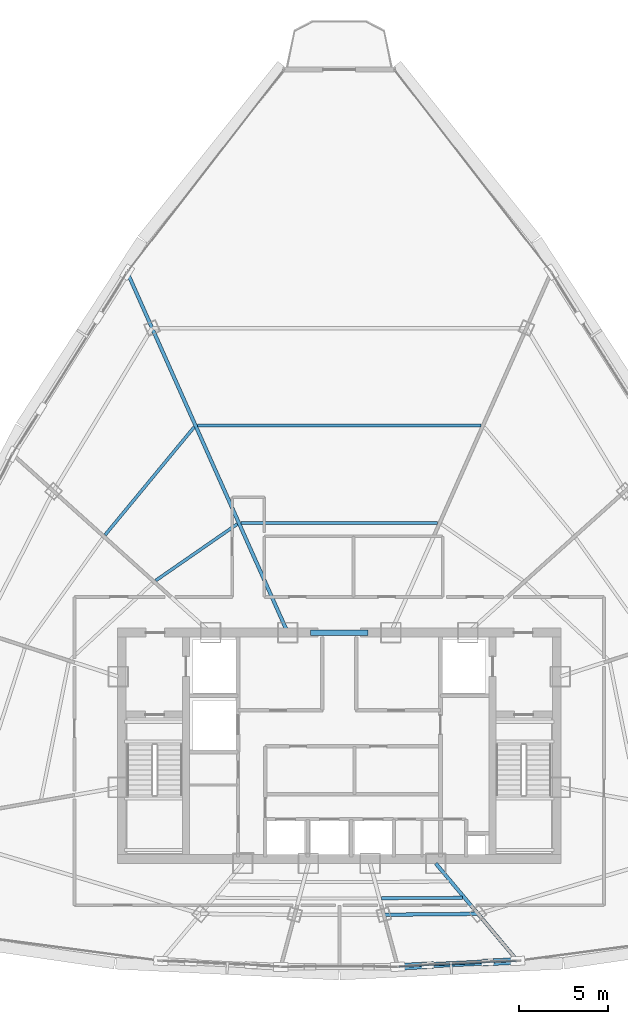
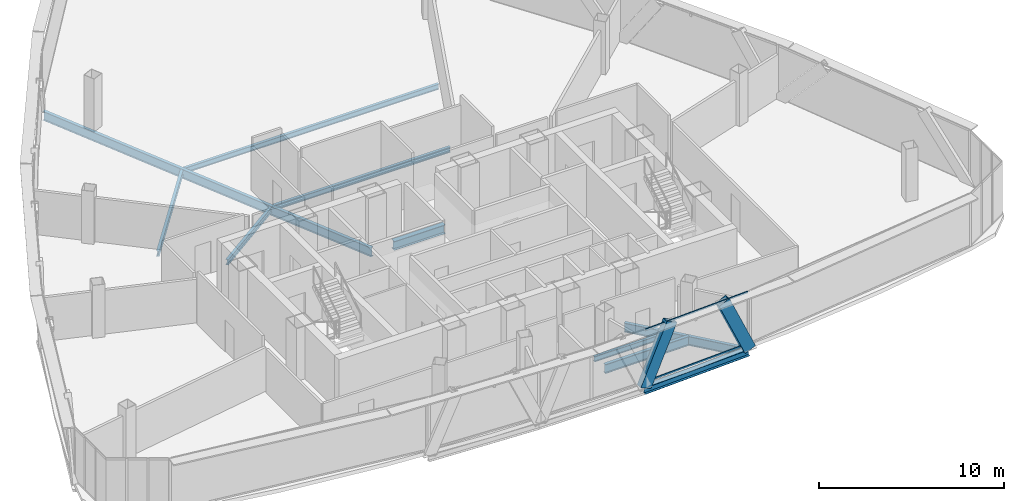
# One storey, part 10 of 28: 10 beams, 4 members, 1 element without a shape of its own.
"""IFC4 building model written with IfcOpenShell, lengths in metres."""

import ifcopenshell
import ifcopenshell.guid

model = None  # the IFC model being written
_history = None  # IfcOwnerHistory: only IFC2X3 demands one
_inside = {}  # id of a spatial element -> (the spatial element, [elements in it])
_under = {}  # id of a project, library or spatial element -> (it, [spatial elements below it])
_declared = {}  # id of a project -> (the project, [libraries it declares])
_typed = {}  # id of a type object -> (the type object, [elements of that type])
_made_of = {}  # id of a material, layer set ... -> (it, [elements and type objects made of it])


def new_model(schema):
    """Start an empty IFC model of exactly this schema.

    Asked for "IFC4X3", IfcOpenShell would pick the latest addendum, in which some entities
    have other attributes; the version numbers below select the first issue.
    IFC2X3 requires an IfcOwnerHistory on every rooted entity: one is made here for all.
    """
    global model, _history
    if schema == "IFC4X3":
        model = ifcopenshell.file(schema_version=(4, 3, 0, 0))
    else:
        model = ifcopenshell.file(schema=schema)
    _inside.clear()
    _under.clear()
    _declared.clear()
    _typed.clear()
    _made_of.clear()
    _history = None
    if model.schema == "IFC2X3":
        org = make("IfcOrganization", Name="unknown")
        user = make(
            "IfcPersonAndOrganization",
            ThePerson=make("IfcPerson", FamilyName="unknown"),
            TheOrganization=org,
        )
        app = make(
            "IfcApplication",
            ApplicationDeveloper=org,
            Version="unknown",
            ApplicationFullName="unknown",
            ApplicationIdentifier="unknown",
        )
        _history = make(
            "IfcOwnerHistory",
            OwningUser=user,
            OwningApplication=app,
            ChangeAction="ADDED",
            CreationDate=0,
        )
    return model


def make(cls, **values):
    """One entity of the class cls with the attributes given. An attribute that is None is left unset."""
    return model.create_entity(
        cls, **{name: value for name, value in values.items() if value is not None}
    )


def rooted(cls, **values):
    """An entity with a GlobalId (a new one), such as an element, a storey or a relation."""
    return make(cls, GlobalId=ifcopenshell.guid.new(), OwnerHistory=_history, **values)


def si_unit(unit_type, name, prefix=None):
    """IfcSIUnit, for example si_unit("LENGTHUNIT", "METRE", prefix="MILLI")."""
    return make("IfcSIUnit", UnitType=unit_type, Prefix=prefix, Name=name)


def assignment(units):
    """IfcUnitAssignment: the units of a project."""
    return None if units is None else make("IfcUnitAssignment", Units=units)


def point(xyz):
    """IfcCartesianPoint."""
    return None if xyz is None else make("IfcCartesianPoint", Coordinates=xyz)


def direction(xyz):
    """IfcDirection."""
    return None if xyz is None else make("IfcDirection", DirectionRatios=xyz)


def frame(location, z_axis=None, x_axis=None):
    """IfcAxis2Placement3D, a coordinate frame: its origin and axes. An axis left out is left unset."""
    return make(
        "IfcAxis2Placement3D",
        Location=point(location),
        Axis=direction(z_axis),
        RefDirection=direction(x_axis),
    )


def frame_2d(location, x_axis=None):
    """IfcAxis2Placement2D, a coordinate frame in the plane: its origin and x axis."""
    return make(
        "IfcAxis2Placement2D", Location=point(location), RefDirection=direction(x_axis)
    )


def origin():
    """The frame at (0, 0, 0) with its axes left unset."""
    return frame((0.0, 0.0, 0.0))


def origin_2d():
    """The frame at (0, 0) in the plane with its x axis left unset."""
    return frame_2d((0.0, 0.0))


def place(relative_to, where):
    """IfcLocalPlacement: puts the frame where relative to a parent placement (None: the world)."""
    return make(
        "IfcLocalPlacement", PlacementRelTo=relative_to, RelativePlacement=where
    )


def context(
    kind, dimensions, precision=None, world=None, true_north=None, identifier=None
):
    """IfcGeometricRepresentationContext, for example the 3D "Model" context."""
    return make(
        "IfcGeometricRepresentationContext",
        ContextIdentifier=identifier,
        ContextType=kind,
        CoordinateSpaceDimension=dimensions,
        Precision=precision,
        WorldCoordinateSystem=world,
        TrueNorth=true_north,
    )


def subcontext(parent, identifier, kind, view, scale=None):
    """IfcGeometricRepresentationSubContext, for example "Body" below "Model"."""
    return make(
        "IfcGeometricRepresentationSubContext",
        ContextIdentifier=identifier,
        ContextType=kind,
        ParentContext=parent,
        TargetScale=scale,
        TargetView=view,
    )


def project(units=None, contexts=None):
    """IfcProject with its units and contexts."""
    return rooted(
        "IfcProject",
        Name="project",
        RepresentationContexts=contexts,
        UnitsInContext=assignment(units),
    )


def spatial(cls, under=None, at=None, **own):
    """A site, building, storey or space (cls), placed at a placement, below another one or the project."""
    s = rooted(cls, ObjectPlacement=at, **own)
    if under is not None:
        _under.setdefault(under.id(), (under, []))[1].append(s)
    return s


def profile(cls, at=None, kind="AREA", **sizes):
    """A parametric profile (cls). Its sizes go by their IFC names, for example OverallWidth=200.0."""
    return make(cls, ProfileType=kind, Position=at, **sizes)


def hollow_rectangle(**sizes):
    """IfcRectangleHollowProfileDef."""
    return profile("IfcRectangleHollowProfileDef", **sizes)


def i_section(**sizes):
    """IfcIShapeProfileDef."""
    return profile("IfcIShapeProfileDef", **sizes)


def extrude(swept, where, along, depth):
    """IfcExtrudedAreaSolid: the profile swept, set in the frame where, extruded along a direction by depth."""
    return make(
        "IfcExtrudedAreaSolid",
        SweptArea=swept,
        Position=where,
        ExtrudedDirection=direction(along),
        Depth=depth,
    )


def shape(context_of_items, identifier, shape_type, items):
    """IfcShapeRepresentation: the items that make up one representation, for example the "Body"."""
    return make(
        "IfcShapeRepresentation",
        ContextOfItems=context_of_items,
        RepresentationIdentifier=identifier,
        RepresentationType=shape_type,
        Items=items,
    )


def source(mapping_origin, context_of_items, identifier, shape_type, items):
    """IfcRepresentationMap: a shape defined once, which mapped items show again and again."""
    return make(
        "IfcRepresentationMap",
        MappingOrigin=mapping_origin,
        MappedRepresentation=shape(context_of_items, identifier, shape_type, items),
    )


def transform(
    local_origin,
    x_axis=None,
    y_axis=None,
    z_axis=None,
    scale=None,
    scale2=None,
    scale3=None,
    uniform=True,
):
    """IfcCartesianTransformationOperator3D, or its non-uniform kind. x_axis, y_axis, z_axis: its Axis1, 2, 3."""
    if uniform:
        return make(
            "IfcCartesianTransformationOperator3D",
            Axis1=direction(x_axis),
            Axis2=direction(y_axis),
            LocalOrigin=point(local_origin),
            Scale=scale,
            Axis3=direction(z_axis),
        )
    return make(
        "IfcCartesianTransformationOperator3DnonUniform",
        Axis1=direction(x_axis),
        Axis2=direction(y_axis),
        LocalOrigin=point(local_origin),
        Scale=scale,
        Axis3=direction(z_axis),
        Scale2=scale2,
        Scale3=scale3,
    )


def mapped(mapping_source, mapping_target):
    """IfcMappedItem: shows the shape of a source again, moved by a transform."""
    return make(
        "IfcMappedItem", MappingSource=mapping_source, MappingTarget=mapping_target
    )


def material(Name=None, Category=None):
    """IfcMaterial."""
    return make("IfcMaterial", Name=Name, Category=Category)


def layer(
    of_material, thickness, ventilated=None, Name=None, Category=None, Priority=None
):
    """IfcMaterialLayer: one layer of a wall or slab, of a material (None: an air gap)."""
    return make(
        "IfcMaterialLayer",
        Material=of_material,
        LayerThickness=thickness,
        IsVentilated=ventilated,
        Name=Name,
        Category=Category,
        Priority=Priority,
    )


def layer_set(layers, Name=None):
    """IfcMaterialLayerSet."""
    return make("IfcMaterialLayerSet", MaterialLayers=layers, LayerSetName=Name)


def material_profile(
    of_material, cross_section, Name=None, Category=None, Priority=None
):
    """IfcMaterialProfile: a cross section and its material."""
    return make(
        "IfcMaterialProfile",
        Name=Name,
        Material=of_material,
        Profile=cross_section,
        Priority=Priority,
        Category=Category,
    )


def profile_set(profiles, Name=None, composite=None):
    """IfcMaterialProfileSet."""
    return make(
        "IfcMaterialProfileSet",
        Name=Name,
        MaterialProfiles=profiles,
        CompositeProfile=composite,
    )


def made_of(thing, what):
    """Note that an element or type object is made of a material, layer set ...; save() writes the relation."""
    if what is not None:
        _made_of.setdefault(what.id(), (what, []))[1].append(thing)
    return thing


def type_object(cls, material=None, **own):
    """A type object (cls), such as IfcWallType, which elements share."""
    return made_of(rooted(cls, **own), material)


def element(
    cls,
    number,
    at=None,
    inside=None,
    cuts=None,
    type_object=None,
    material=None,
    context=None,
    identifier="Body",
    shape_type=None,
    held_by="IfcProductDefinitionShape",
    body=None,
    shapes=None,
    **own,
):
    """One element of the class cls, such as IfcWall. Its Tag is "e" and its number.

    at: its placement. inside: the storey or other place that contains it. cuts: it is an
    opening in that element (IfcRelVoidsElement). A single representation is given by context,
    identifier, shape_type and body (its items); several are given by shapes. held_by: the class
    of the entity that holds the representations. save() writes the other relations.
    """
    e = rooted(cls, Tag="e%d" % number, ObjectPlacement=at, **own)
    if body is not None:
        shapes = [shape(context, identifier, shape_type, body)]
    if shapes is not None:
        e.Representation = make(held_by, Representations=shapes)
    if inside is not None:
        _inside.setdefault(inside.id(), (inside, []))[1].append(e)
    if cuts is not None:
        rooted(
            "IfcRelVoidsElement", RelatingBuildingElement=cuts, RelatedOpeningElement=e
        )
    if type_object is not None:
        _typed.setdefault(type_object.id(), (type_object, []))[1].append(e)
    return made_of(e, material)


def aggregate(whole, parts):
    """IfcRelAggregates: a whole, such as a stair, and the parts it consists of."""
    return rooted("IfcRelAggregates", RelatingObject=whole, RelatedObjects=parts)


def save(model, path):
    """Write the relations noted so far, then the file.

    IfcRelAggregates (storeys below a building ...), IfcRelContainedInSpatialStructure (elements
    in a storey), IfcRelDefinesByType, IfcRelAssociatesMaterial and IfcRelDeclares: one each for
    every whole, place, type object, material and project.
    """
    for whole, parts in _under.values():
        aggregate(whole, parts)
    for where, things in _inside.values():
        rooted(
            "IfcRelContainedInSpatialStructure",
            RelatedElements=things,
            RelatingStructure=where,
        )
    for kind, things in _typed.values():
        rooted("IfcRelDefinesByType", RelatedObjects=things, RelatingType=kind)
    for what, things in _made_of.values():
        rooted("IfcRelAssociatesMaterial", RelatedObjects=things, RelatingMaterial=what)
    for by, libraries in _declared.values():
        rooted("IfcRelDeclares", RelatingContext=by, RelatedDefinitions=libraries)
    model.write(path)


model = new_model("IFC4")

# Units and contexts
model_context = context("Model", 3, precision=1e-05, world=origin(), true_north=direction((0.0, 1.0)))
body_context = subcontext(model_context, "Body", "Model", "MODEL_VIEW")
ifc_project = project(units=[si_unit("LENGTHUNIT", "METRE"), si_unit("AREAUNIT", "SQUARE_METRE"), si_unit("VOLUMEUNIT", "CUBIC_METRE"), si_unit("PLANEANGLEUNIT", "RADIAN"), si_unit("MASSUNIT", "GRAM", prefix="KILO"), si_unit("THERMODYNAMICTEMPERATUREUNIT", "KELVIN"), si_unit("POWERUNIT", "WATT")], contexts=[model_context])

# Site, building, storey
site_placement = place(None, origin())
site = spatial("IfcSite", under=ifc_project, at=site_placement, CompositionType="ELEMENT")
building_placement = place(site_placement, origin())
building = spatial("IfcBuilding", under=site, at=building_placement, Name="Yunzhuo Pagoda Commons", CompositionType="ELEMENT")
storey_placement = place(building_placement, frame((0.0, 0.0, 336.760009765625)))
storey = spatial("IfcBuildingStorey", under=building, at=storey_placement, Name="L84", CompositionType="ELEMENT", Elevation=336.760009765625)

# Beams
ifc_material_1 = material(Name="Structural steel Q420B", Category="steel")
ifc_material_profile_1 = material_profile(ifc_material_1, i_section(OverallWidth=0.300048828125, OverallDepth=0.587890625, WebThickness=0.011962890625, FlangeThickness=0.02001953125, at=origin_2d()), Name="Structural steel Q420B")
ifc_profile_set_1 = profile_set([ifc_material_profile_1], Name="Structural steel Q420B")
beam_type_1 = type_object("IfcBeamType", Name="B-CPL Beam HM 588x300x12x20", PredefinedType="BEAM", material=ifc_profile_set_1)
shared_shape_1 = source(origin(), body_context, "Body", "SweptSolid", [
    extrude(i_section(OverallWidth=0.300048828125, OverallDepth=0.587890625, WebThickness=0.011962890625, FlangeThickness=0.02001953125, at=origin_2d()), origin(), (0.0, 0.0, 1.0), 3.2001953125),
])
beam_1_placement = place(storey_placement, frame((46.39990234375, 40.199951171875, -0.553955078125), z_axis=(1.0, 0.0, 0.0), x_axis=(0.0, 1.0, 0.0)))
element("IfcBeam", 1, at=beam_1_placement, inside=storey, type_object=beam_type_1, Name="L84 core coupling girder", PredefinedType="BEAM", context=body_context, shape_type="MappedRepresentation", body=[
    mapped(shared_shape_1, transform((0.0, 0.0, 0.0), scale=1.0)),
])
ifc_material_2 = material(Name="Structural steel Q355B", Category="steel")
ifc_material_profile_2 = material_profile(ifc_material_2, i_section(OverallWidth=0.199951171875, OverallDepth=0.60009765625, WebThickness=0.010986328125, FlangeThickness=0.01708984375, at=origin_2d()), Name="Structural steel Q355B")
ifc_profile_set_2 = profile_set([ifc_material_profile_2], Name="Structural steel Q355B")
beam_type_2 = type_object("IfcBeamType", Name="B-RG3 Beam HN 600x200x11x17", PredefinedType="BEAM", material=ifc_profile_set_2)
shared_shape_2 = source(origin(), body_context, "Body", "SweptSolid", [
    extrude(i_section(OverallWidth=0.199951171875, OverallDepth=0.60009765625, WebThickness=0.010986328125, FlangeThickness=0.01708984375, at=origin_2d()), origin(), (0.0, 0.0, 1.0), 5.286376953125),
])
beam_2_placement = place(storey_placement, frame((50.499267578125, 24.372802734375, -0.56005859375), z_axis=(0.999957341442, 0.009236627946, 0.0), x_axis=(-0.009236627946, 0.999957341442, 0.0)))
element("IfcBeam", 2, at=beam_2_placement, inside=storey, type_object=beam_type_2, Name="L84 column-ring beam 3", PredefinedType="BEAM", context=body_context, shape_type="MappedRepresentation", body=[
    mapped(shared_shape_2, transform((0.0, 0.0, 0.0), scale=1.0)),
])
ifc_material_profile_3 = material_profile(ifc_material_2, i_section(OverallWidth=0.175048828125, OverallDepth=0.35009765625, WebThickness=0.007080078125, FlangeThickness=0.010986328125, at=origin_2d()), Name="Structural steel Q355B")
ifc_profile_set_3 = profile_set([ifc_material_profile_3], Name="Structural steel Q355B")
beam_type_3 = type_object("IfcBeamType", Name="B-JS2 Joist HN 350x175x7x11", PredefinedType="JOIST", material=ifc_profile_set_3)
shared_shape_3 = source(origin(), body_context, "Body", "SweptSolid", [
    extrude(i_section(OverallWidth=0.175048828125, OverallDepth=0.35009765625, WebThickness=0.007080078125, FlangeThickness=0.010986328125, at=origin_2d()), origin(), (0.0, 0.0, 1.0), 4.54345703125),
])
beam_3_placement = place(storey_placement, frame((50.367431640625, 25.29443359375, -0.43505859375), z_axis=(0.999975976237, 0.006931590593, 0.0), x_axis=(-0.006931590593, 0.999975976237, 0.0)))
element("IfcBeam", 3, at=beam_3_placement, inside=storey, type_object=beam_type_3, Name="L84 composite ring joist 2.3", PredefinedType="JOIST", context=body_context, shape_type="MappedRepresentation", body=[
    mapped(shared_shape_3, transform((0.0, 0.0, 0.0), scale=1.0)),
])
shared_shape_4 = source(origin(), body_context, "Body", "SweptSolid", [
    extrude(i_section(OverallWidth=0.175048828125, OverallDepth=0.35009765625, WebThickness=0.007080078125, FlangeThickness=0.010986328125, at=origin_2d()), origin(), (0.0, 0.0, 1.0), 5.556640625),
])
beam_4_placement = place(storey_placement, frame((42.273681640625, 46.28369140625, -0.43505859375), z_axis=(-0.822084621883, -0.569365326011, 0.0), x_axis=(0.569365326011, -0.822084621883, 0.0)))
element("IfcBeam", 4, at=beam_4_placement, inside=storey, type_object=beam_type_3, Name="L84 composite ring joist 1.9", PredefinedType="JOIST", context=body_context, shape_type="MappedRepresentation", body=[
    mapped(shared_shape_4, transform((0.0, 0.0, 0.0), scale=1.0)),
])
shared_shape_5 = source(origin(), body_context, "Body", "SweptSolid", [
    extrude(i_section(OverallWidth=0.175048828125, OverallDepth=0.35009765625, WebThickness=0.007080078125, FlangeThickness=0.010986328125, at=origin_2d()), origin(), (0.0, 0.0, 1.0), 7.842529296875),
])
beam_5_placement = place(storey_placement, frame((39.861328125, 51.726318359375, -0.43505859375), z_axis=(-0.636899145749, -0.770947130577, 0.0), x_axis=(0.770947130577, -0.636899145749, 0.0)))
element("IfcBeam", 5, at=beam_5_placement, inside=storey, type_object=beam_type_3, Name="L84 composite ring joist 2.9", PredefinedType="JOIST", context=body_context, shape_type="MappedRepresentation", body=[
    mapped(shared_shape_5, transform((0.0, 0.0, 0.0), scale=1.0)),
])
shared_shape_6 = source(origin(), body_context, "Body", "SweptSolid", [
    extrude(i_section(OverallWidth=0.175048828125, OverallDepth=0.35009765625, WebThickness=0.007080078125, FlangeThickness=0.010986328125, at=origin_2d()), origin(), (0.0, 0.0, 1.0), 11.03369140625),
])
beam_6_placement = place(storey_placement, frame((53.516845703125, 46.34912109375, -0.43505859375), z_axis=(-1.0, 0.0, 0.0), x_axis=(0.0, -1.0, 0.0)))
element("IfcBeam", 6, at=beam_6_placement, inside=storey, type_object=beam_type_3, Name="L84 composite ring joist 1.8", PredefinedType="JOIST", context=body_context, shape_type="MappedRepresentation", body=[
    mapped(shared_shape_6, transform((0.0, 0.0, 0.0), scale=1.0)),
])
shared_shape_7 = source(origin(), body_context, "Body", "SweptSolid", [
    extrude(i_section(OverallWidth=0.175048828125, OverallDepth=0.35009765625, WebThickness=0.007080078125, FlangeThickness=0.010986328125, at=origin_2d()), origin(), (0.0, 0.0, 1.0), 15.900390625),
])
beam_7_placement = place(storey_placement, frame((55.9501953125, 51.81494140625, -0.43505859375), z_axis=(-1.0, 0.0, 0.0), x_axis=(0.0, -1.0, 0.0)))
element("IfcBeam", 7, at=beam_7_placement, inside=storey, type_object=beam_type_3, Name="L84 composite ring joist 2.8", PredefinedType="JOIST", context=body_context, shape_type="MappedRepresentation", body=[
    mapped(shared_shape_7, transform((0.0, 0.0, 0.0), scale=1.0)),
])
shared_shape_8 = source(origin(), body_context, "Body", "SweptSolid", [
    extrude(i_section(OverallWidth=0.199951171875, OverallDepth=0.60009765625, WebThickness=0.010986328125, FlangeThickness=0.01708984375, at=origin_2d()), origin(), (0.0, 0.0, 1.0), 6.983642578125),
])
beam_8_placement = place(storey_placement, frame((57.901123046875, 21.900390625, -0.56005859375), z_axis=(-0.642800921459, 0.766033273019, 0.0), x_axis=(-0.766033273019, -0.642800921459, 0.0)))
element("IfcBeam", 8, at=beam_8_placement, inside=storey, type_object=beam_type_2, Name="L84 radial floor girder F1C4", PredefinedType="BEAM", context=body_context, shape_type="MappedRepresentation", body=[
    mapped(shared_shape_8, transform((0.0, 0.0, 0.0), scale=1.0)),
])
shared_shape_9 = source(origin(), body_context, "Body", "SweptSolid", [
    extrude(i_section(OverallWidth=0.199951171875, OverallDepth=0.60009765625, WebThickness=0.010986328125, FlangeThickness=0.01708984375, at=origin_2d()), origin(), (0.0, 0.0, 1.0), 21.975341796875),
])
beam_9_placement = place(storey_placement, frame((36.167724609375, 60.275390625, -0.56005859375), z_axis=(0.406739335942, -0.913544258697, 0.0), x_axis=(0.913544258697, 0.406739335942, 0.0)))
element("IfcBeam", 9, at=beam_9_placement, inside=storey, type_object=beam_type_2, Name="L84 radial floor girder F3C1", PredefinedType="BEAM", context=body_context, shape_type="MappedRepresentation", body=[
    mapped(shared_shape_9, transform((0.0, 0.0, 0.0), scale=1.0)),
])
ifc_material_profile_4 = material_profile(ifc_material_2, i_section(OverallWidth=0.300048828125, OverallDepth=0.43994140625, WebThickness=0.010986328125, FlangeThickness=0.01806640625, at=origin_2d()), Name="Structural steel Q355B")
ifc_profile_set_4 = profile_set([ifc_material_profile_4], Name="Structural steel Q355B")
beam_type_4 = type_object("IfcBeamType", Name="B-SP2 Beam HM 440x300x11x18", PredefinedType="BEAM", material=ifc_profile_set_4)
shared_shape_10 = source(origin(), body_context, "Body", "SweptSolid", [
    extrude(i_section(OverallWidth=0.300048828125, OverallDepth=0.43994140625, WebThickness=0.010986328125, FlangeThickness=0.01806640625, at=origin_2d()), origin(), (0.0, 0.0, 1.0), 6.727294921875),
])
beam_10_placement = place(storey_placement, frame((51.28173828125, 21.452392578125, -0.47998046875), z_axis=(0.998802682638, 0.048920355214, 0.0), x_axis=(-0.048920355214, 0.998802682638, 0.0)))
element("IfcBeam", 10, at=beam_10_placement, inside=storey, type_object=beam_type_4, Name="L84 facade edge spandrel beam F1.3", PredefinedType="BEAM", context=body_context, shape_type="MappedRepresentation", body=[
    mapped(shared_shape_10, transform((0.0, 0.0, 0.0), scale=1.0)),
])

# Members
ifc_material_profile_5 = material_profile(ifc_material_2, hollow_rectangle(XDim=0.3798828125, YDim=0.719970703125, WallThickness=0.02001953125, at=origin_2d()), Name="Structural steel Q355B")
ifc_profile_set_5 = profile_set([ifc_material_profile_5], Name="Structural steel Q355B")
member_type_1 = type_object("IfcMemberType", Name="M-DL3 Brace BOX 720x380x20", PredefinedType="BRACE", material=ifc_profile_set_5)
shared_shape_11 = source(origin(), body_context, "Body", "SweptSolid", [
    extrude(hollow_rectangle(XDim=0.3798828125, YDim=0.719970703125, WallThickness=0.02001953125, at=origin_2d()), origin(), (0.0, 0.0, 1.0), 4.10986328125),
])
for number, where, z_axis, x_axis, name in (
    (11, (51.28173828125, 21.452392578125, -0.260009765625), (0.408701002584, 0.020019220621, 0.912448749954), (-0.048923901963, 0.998802508916, 0.0), "L84 facade diamond brace F1.3L"),
    (12, (58.0009765625, 21.781494140625, -0.260009765625), (-0.408750482324, -0.020018734565, 0.912426596207), (0.048916808978, -0.998802856323, 0.0), "L84 facade diamond brace F1.3R"),
):
    element("IfcMember", number, at=place(storey_placement, frame(where, z_axis=z_axis, x_axis=x_axis)), inside=storey, type_object=member_type_1, Name=name, PredefinedType="BRACE", context=body_context, shape_type="MappedRepresentation", body=[
        mapped(shared_shape_11, transform((0.0, 0.0, 0.0), scale=1.0)),
    ])

# Curtain wall, members
ifc_material_3 = material(Name="Anodized aluminium 6063-T6", Category="aluminium")
ifc_layer = layer(ifc_material_3, 0.139892578125)
ifc_layer_set = layer_set([ifc_layer], Name="Anodized aluminium 6063-T6")
curtain_wall_type = type_object("IfcCurtainWallType", Name="CW-HI High-Zone Ribbon Curtain Wall", PredefinedType="NOTDEFINED", material=ifc_layer_set)
curtain_wall_placement = place(storey_placement, origin())
curtain_wall = element("IfcCurtainWall", 13, at=curtain_wall_placement, inside=storey, type_object=curtain_wall_type, Name="L84 curtain wall CW-L84-F1B4", PredefinedType="NOTDEFINED")
ifc_material_profile_6 = material_profile(ifc_material_3, hollow_rectangle(XDim=0.054931640625, YDim=0.1201171875, WallThickness=0.00341796875, at=origin_2d()), Name="Anodized aluminium 6063-T6")
ifc_profile_set_6 = profile_set([ifc_material_profile_6], Name="Anodized aluminium 6063-T6")
member_type_2 = type_object("IfcMemberType", Name="CW-HI-T Transom RHS 120x55x3.5", PredefinedType="USERDEFINED", material=ifc_profile_set_6)
shared_shape_12 = source(origin(), body_context, "Body", "SweptSolid", [
    extrude(hollow_rectangle(XDim=0.054931640625, YDim=0.1201171875, WallThickness=0.00341796875, at=origin_2d()), origin(), (0.0, 0.0, 1.0), 6.607177734375),
])
member_1_placement = place(storey_placement, frame((51.341552734375, 21.455322265625, 0.027587890625), z_axis=(0.998800788533, 0.048959011683, 0.0), x_axis=(-0.048959011683, 0.998800788533, 0.0)))
member_1 = element("IfcMember", 14, at=member_1_placement, type_object=member_type_2, Name="CW transom 1.1", ObjectType="TRANSOM", PredefinedType="USERDEFINED", context=body_context, shape_type="MappedRepresentation", body=[
    mapped(shared_shape_12, transform((0.0, 0.0, 0.0), scale=1.0)),
])
member_2_placement = place(storey_placement, frame((51.341552734375, 21.455322265625, 3.46240234375), z_axis=(0.998800788533, 0.048959011683, 0.0), x_axis=(-0.048959011683, 0.998800788533, 0.0)))
member_2 = element("IfcMember", 15, at=member_2_placement, type_object=member_type_2, Name="CW transom 1.2", ObjectType="TRANSOM", PredefinedType="USERDEFINED", context=body_context, shape_type="MappedRepresentation", body=[
    mapped(shared_shape_12, transform((0.0, 0.0, 0.0), scale=1.0)),
])
aggregate(curtain_wall, [member_1, member_2])

save(model, "model.ifc")
